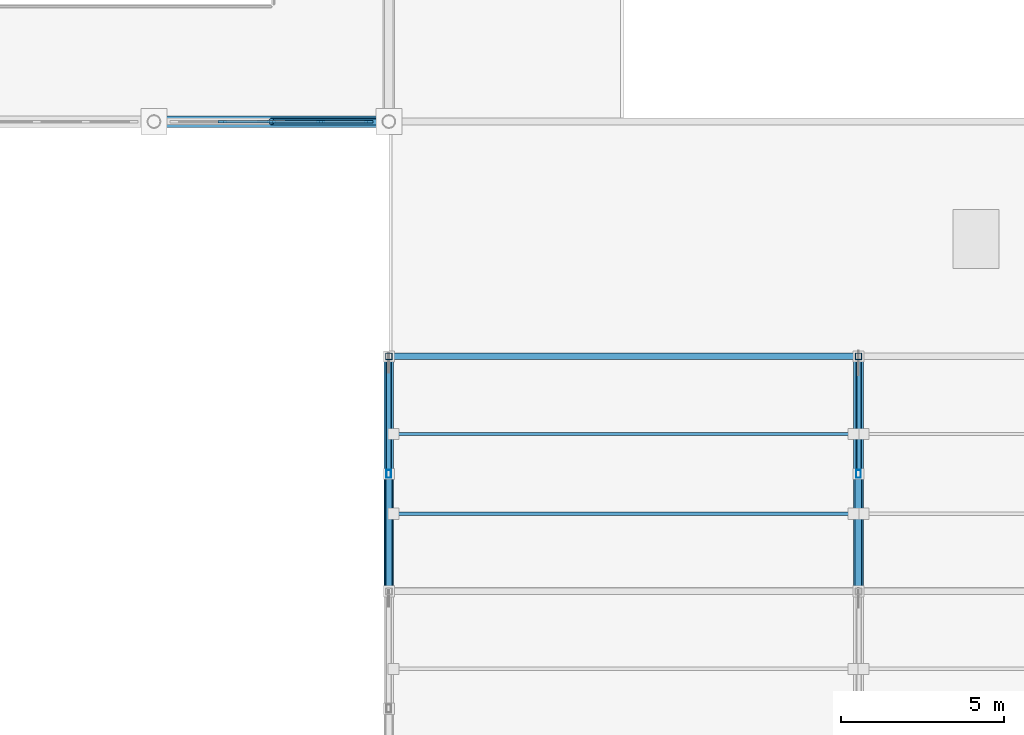
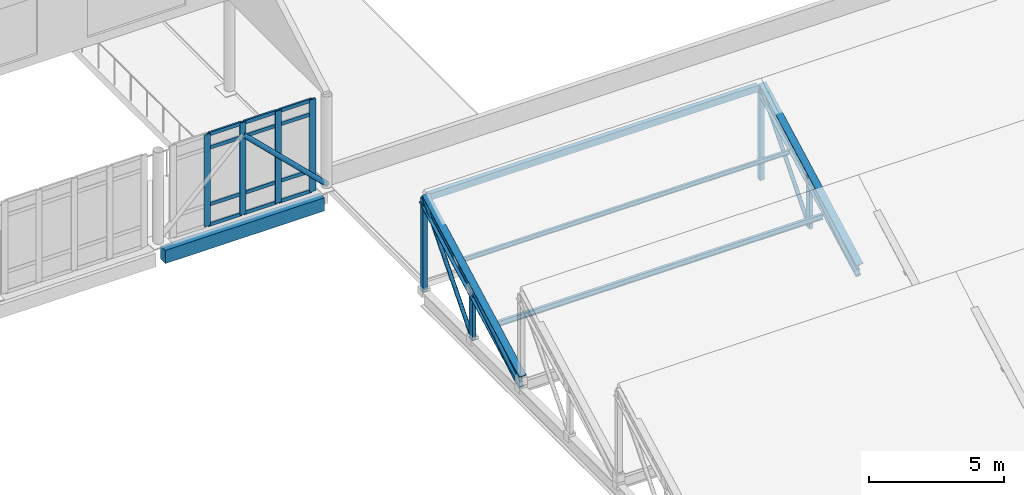
# One storey, part 19 of 62: 30 members, 1 beam, 1 element without a shape of its own.
"""IFC4 building model written with IfcOpenShell, lengths in metres."""

from ifc_helpers import new_model, si_unit, direction, frame, origin, origin_2d, place, context, subcontext, project, spatial, rectangle, hollow_rectangle, hollow_circle, i_section, extrude, material, layer, layer_set, material_profile, profile_set, type_object, element, aggregate, save


model = new_model("IFC4")

# Units and contexts
model_context = context("Model", 3, precision=1e-05, world=origin(), true_north=direction((0.0, 1.0)))
body_context = subcontext(model_context, "Body", "Model", "MODEL_VIEW")
ifc_project = project(units=[si_unit("LENGTHUNIT", "METRE"), si_unit("AREAUNIT", "SQUARE_METRE"), si_unit("VOLUMEUNIT", "CUBIC_METRE"), si_unit("PLANEANGLEUNIT", "RADIAN"), si_unit("MASSUNIT", "GRAM", prefix="KILO")], contexts=[model_context])

# Site, building, storey
site_placement = place(None, origin())
site = spatial("IfcSite", under=ifc_project, at=site_placement, CompositionType="ELEMENT")
building_placement = place(site_placement, origin())
building = spatial("IfcBuilding", under=site, at=building_placement, Name="Valkovuoma Quantum and Materials Research Institute", CompositionType="ELEMENT")
storey_placement = place(building_placement, frame((0.0, 0.0, 13.1201171875)))
storey = spatial("IfcBuildingStorey", under=building, at=storey_placement, Name="L03", CompositionType="ELEMENT", Elevation=13.1201171875)

# Beam
ifc_material_1 = material(Name="Concrete C40/50", Category="concrete")
ifc_material_profile_1 = material_profile(ifc_material_1, rectangle(XDim=0.35009765625, YDim=0.60009765625, at=origin_2d()), Name="Concrete C40/50")
ifc_profile_set_1 = profile_set([ifc_material_profile_1], Name="Concrete C40/50")
beam_type = type_object("IfcBeamType", Name="Beam-B-SPN600", PredefinedType="SPANDREL", material=ifc_profile_set_1)
beam_placement = place(storey_placement, frame((93.80322265625, 36.0, -0.650146484375), z_axis=(1.0, 0.0, 0.0), x_axis=(0.0, 1.0, 0.0)))
element("IfcBeam", 1, at=beam_placement, inside=storey, type_object=beam_type, Name="L03 beam X-1437", PredefinedType="SPANDREL", context=body_context, shape_type="SweptSolid", body=[
    extrude(rectangle(XDim=0.35009765625, YDim=0.60009765625, at=origin_2d()), origin(), (0.0, 0.0, 1.0), 6.79345703125),
])

# Curtain wall, members
ifc_material_2 = material(Name="Thermally broken aluminium and triple low-E glazing", Category="aluminium")
ifc_layer = layer(ifc_material_2, 0.219970703125)
ifc_layer_set = layer_set([ifc_layer], Name="Thermally broken aluminium and triple low-E glazing")
curtain_wall_type = type_object("IfcCurtainWallType", Name="CW-CW-02", PredefinedType="NOTDEFINED", material=ifc_layer_set)
curtain_wall_placement = place(storey_placement, origin())
curtain_wall = element("IfcCurtainWall", 2, at=curtain_wall_placement, inside=storey, type_object=curtain_wall_type, Name="L03 curtain wall 210", PredefinedType="NOTDEFINED")
ifc_material_3 = material(Name="Anodised aluminium 6060-T66", Category="aluminium")
ifc_material_profile_2 = material_profile(ifc_material_3, rectangle(XDim=0.080078125, YDim=0.260009765625, at=origin_2d()), Name="Anodised aluminium 6060-T66")
ifc_profile_set_2 = profile_set([ifc_material_profile_2], Name="Anodised aluminium 6060-T66")
member_type_1 = type_object("IfcMemberType", Name="CWMull-CWM-03", PredefinedType="MULLION", material=ifc_profile_set_2)
member_1_placement = place(storey_placement, frame((95.68994140625, 36.0, 0.0), z_axis=(0.0, 0.0, 1.0), x_axis=(0.0, 1.0, 0.0)))
member_1 = element("IfcMember", 3, at=member_1_placement, type_object=member_type_1, Name="CW-02 mullion 2", PredefinedType="MULLION", context=body_context, shape_type="SweptSolid", body=[
    extrude(rectangle(XDim=0.080078125, YDim=0.260009765625, at=origin_2d()), origin(), (0.0, 0.0, 1.0), 4.159912109375),
])
member_2_placement = place(storey_placement, frame((97.199951171875, 36.0, 0.0), z_axis=(0.0, 0.0, 1.0), x_axis=(0.0, 1.0, 0.0)))
member_2 = element("IfcMember", 4, at=member_2_placement, type_object=member_type_1, Name="CW-02 mullion 3", PredefinedType="MULLION", context=body_context, shape_type="SweptSolid", body=[
    extrude(rectangle(XDim=0.080078125, YDim=0.260009765625, at=origin_2d()), origin(), (0.0, 0.0, 1.0), 4.159912109375),
])
member_3_placement = place(storey_placement, frame((98.7099609375, 36.0, 0.0), z_axis=(0.0, 0.0, 1.0), x_axis=(0.0, 1.0, 0.0)))
member_3 = element("IfcMember", 5, at=member_3_placement, type_object=member_type_1, Name="CW-02 mullion 4", PredefinedType="MULLION", context=body_context, shape_type="SweptSolid", body=[
    extrude(rectangle(XDim=0.080078125, YDim=0.260009765625, at=origin_2d()), origin(), (0.0, 0.0, 1.0), 4.159912109375),
])
member_4_placement = place(storey_placement, frame((100.179931640625, 36.0, 0.0), z_axis=(0.0, 0.0, 1.0), x_axis=(0.0, 1.0, 0.0)))
member_4 = element("IfcMember", 6, at=member_4_placement, type_object=member_type_1, Name="CW-02 mullion 5", PredefinedType="MULLION", context=body_context, shape_type="SweptSolid", body=[
    extrude(rectangle(XDim=0.080078125, YDim=0.260009765625, at=origin_2d()), origin(), (0.0, 0.0, 1.0), 4.159912109375),
])
ifc_material_4 = material(Name="Anodised aluminium 6060-T66", Category="aluminium")
ifc_material_profile_3 = material_profile(ifc_material_4, rectangle(XDim=0.074951171875, YDim=0.159912109375, at=origin_2d()), Name="Anodised aluminium 6060-T66")
ifc_profile_set_3 = profile_set([ifc_material_profile_3], Name="Anodised aluminium 6060-T66")
member_type_2 = type_object("IfcMemberType", Name="CWTran-CWT-02", PredefinedType="USERDEFINED", material=ifc_profile_set_3)
member_5_placement = place(storey_placement, frame((95.72998046875, 36.0, 0.037353515625), z_axis=(1.0, 0.0, 0.0), x_axis=(0.0, 1.0, 0.0)))
member_5 = element("IfcMember", 7, at=member_5_placement, type_object=member_type_2, Name="CW-02 transom 2.1", ObjectType="TRANSOM", PredefinedType="USERDEFINED", context=body_context, shape_type="SweptSolid", body=[
    extrude(rectangle(XDim=0.074951171875, YDim=0.159912109375, at=origin_2d()), origin(), (0.0, 0.0, 1.0), 1.429931640625),
])
member_6_placement = place(storey_placement, frame((95.72998046875, 36.0, 0.949951171875), z_axis=(1.0, 0.0, 0.0), x_axis=(0.0, 1.0, 0.0)))
member_6 = element("IfcMember", 8, at=member_6_placement, type_object=member_type_2, Name="CW-02 transom 2.2", ObjectType="TRANSOM", PredefinedType="USERDEFINED", context=body_context, shape_type="SweptSolid", body=[
    extrude(rectangle(XDim=0.074951171875, YDim=0.159912109375, at=origin_2d()), origin(), (0.0, 0.0, 1.0), 1.429931640625),
])
member_7_placement = place(storey_placement, frame((95.72998046875, 36.0, 3.509765625), z_axis=(1.0, 0.0, 0.0), x_axis=(0.0, 1.0, 0.0)))
member_7 = element("IfcMember", 9, at=member_7_placement, type_object=member_type_2, Name="CW-02 transom 2.3", ObjectType="TRANSOM", PredefinedType="USERDEFINED", context=body_context, shape_type="SweptSolid", body=[
    extrude(rectangle(XDim=0.074951171875, YDim=0.159912109375, at=origin_2d()), origin(), (0.0, 0.0, 1.0), 1.429931640625),
])
member_8_placement = place(storey_placement, frame((95.72998046875, 36.0, 4.122314453125), z_axis=(1.0, 0.0, 0.0), x_axis=(0.0, 1.0, 0.0)))
member_8 = element("IfcMember", 10, at=member_8_placement, type_object=member_type_2, Name="CW-02 transom 2.4", ObjectType="TRANSOM", PredefinedType="USERDEFINED", context=body_context, shape_type="SweptSolid", body=[
    extrude(rectangle(XDim=0.074951171875, YDim=0.159912109375, at=origin_2d()), origin(), (0.0, 0.0, 1.0), 1.429931640625),
])
member_9_placement = place(storey_placement, frame((97.239990234375, 36.0, 0.037353515625), z_axis=(1.0, 0.0, 0.0), x_axis=(0.0, 1.0, 0.0)))
member_9 = element("IfcMember", 11, at=member_9_placement, type_object=member_type_2, Name="CW-02 transom 3.1", ObjectType="TRANSOM", PredefinedType="USERDEFINED", context=body_context, shape_type="SweptSolid", body=[
    extrude(rectangle(XDim=0.074951171875, YDim=0.159912109375, at=origin_2d()), origin(), (0.0, 0.0, 1.0), 1.429931640625),
])
member_10_placement = place(storey_placement, frame((97.239990234375, 36.0, 0.949951171875), z_axis=(1.0, 0.0, 0.0), x_axis=(0.0, 1.0, 0.0)))
member_10 = element("IfcMember", 12, at=member_10_placement, type_object=member_type_2, Name="CW-02 transom 3.2", ObjectType="TRANSOM", PredefinedType="USERDEFINED", context=body_context, shape_type="SweptSolid", body=[
    extrude(rectangle(XDim=0.074951171875, YDim=0.159912109375, at=origin_2d()), origin(), (0.0, 0.0, 1.0), 1.429931640625),
])
member_11_placement = place(storey_placement, frame((97.239990234375, 36.0, 3.509765625), z_axis=(1.0, 0.0, 0.0), x_axis=(0.0, 1.0, 0.0)))
member_11 = element("IfcMember", 13, at=member_11_placement, type_object=member_type_2, Name="CW-02 transom 3.3", ObjectType="TRANSOM", PredefinedType="USERDEFINED", context=body_context, shape_type="SweptSolid", body=[
    extrude(rectangle(XDim=0.074951171875, YDim=0.159912109375, at=origin_2d()), origin(), (0.0, 0.0, 1.0), 1.429931640625),
])
member_12_placement = place(storey_placement, frame((97.239990234375, 36.0, 4.122314453125), z_axis=(1.0, 0.0, 0.0), x_axis=(0.0, 1.0, 0.0)))
member_12 = element("IfcMember", 14, at=member_12_placement, type_object=member_type_2, Name="CW-02 transom 3.4", ObjectType="TRANSOM", PredefinedType="USERDEFINED", context=body_context, shape_type="SweptSolid", body=[
    extrude(rectangle(XDim=0.074951171875, YDim=0.159912109375, at=origin_2d()), origin(), (0.0, 0.0, 1.0), 1.429931640625),
])
member_13_placement = place(storey_placement, frame((98.75, 36.0, 0.037353515625), z_axis=(1.0, 0.0, 0.0), x_axis=(0.0, 1.0, 0.0)))
member_13 = element("IfcMember", 15, at=member_13_placement, type_object=member_type_2, Name="CW-02 transom 4.1", ObjectType="TRANSOM", PredefinedType="USERDEFINED", context=body_context, shape_type="SweptSolid", body=[
    extrude(rectangle(XDim=0.074951171875, YDim=0.159912109375, at=origin_2d()), origin(), (0.0, 0.0, 1.0), 1.389892578125),
])
member_14_placement = place(storey_placement, frame((98.75, 36.0, 0.949951171875), z_axis=(1.0, 0.0, 0.0), x_axis=(0.0, 1.0, 0.0)))
member_14 = element("IfcMember", 16, at=member_14_placement, type_object=member_type_2, Name="CW-02 transom 4.2", ObjectType="TRANSOM", PredefinedType="USERDEFINED", context=body_context, shape_type="SweptSolid", body=[
    extrude(rectangle(XDim=0.074951171875, YDim=0.159912109375, at=origin_2d()), origin(), (0.0, 0.0, 1.0), 1.389892578125),
])
member_15_placement = place(storey_placement, frame((98.75, 36.0, 3.509765625), z_axis=(1.0, 0.0, 0.0), x_axis=(0.0, 1.0, 0.0)))
member_15 = element("IfcMember", 17, at=member_15_placement, type_object=member_type_2, Name="CW-02 transom 4.3", ObjectType="TRANSOM", PredefinedType="USERDEFINED", context=body_context, shape_type="SweptSolid", body=[
    extrude(rectangle(XDim=0.074951171875, YDim=0.159912109375, at=origin_2d()), origin(), (0.0, 0.0, 1.0), 1.389892578125),
])
member_16_placement = place(storey_placement, frame((98.75, 36.0, 4.122314453125), z_axis=(1.0, 0.0, 0.0), x_axis=(0.0, 1.0, 0.0)))
member_16 = element("IfcMember", 18, at=member_16_placement, type_object=member_type_2, Name="CW-02 transom 4.4", ObjectType="TRANSOM", PredefinedType="USERDEFINED", context=body_context, shape_type="SweptSolid", body=[
    extrude(rectangle(XDim=0.074951171875, YDim=0.159912109375, at=origin_2d()), origin(), (0.0, 0.0, 1.0), 1.389892578125),
])
aggregate(curtain_wall, [member_1, member_2, member_3, member_4, member_5, member_6, member_7, member_8, member_9, member_10, member_11, member_12, member_13, member_14, member_15, member_16])

# Members
ifc_material_5 = material(Name="Steel S355J2H", Category="steel")
ifc_material_profile_4 = material_profile(ifc_material_5, hollow_circle(Radius=0.084228515625, WallThickness=0.008056640625, at=origin_2d()), Name="Steel S355J2H")
ifc_profile_set_4 = profile_set([ifc_material_profile_4], Name="Steel S355J2H")
member_type_3 = type_object("IfcMemberType", Name="Mem-M-BRC168", PredefinedType="BRACE", material=ifc_profile_set_4)
for number, where, z_axis, x_axis, name in (
    (19, (100.800048828125, 25.199951171875, -0.35009765625), (0.0, 0.650805911728, 0.759244140748), (-1.0, 0.0, 0.0), "L03 VOL1 sawtooth web brace 1.3B"),
    (20, (115.199951171875, 25.199951171875, -0.35009765625), (0.0, 0.650805911728, 0.759244140748), (-1.0, 0.0, 0.0), "L03 VOL1 sawtooth web brace 2.3B"),
):
    element("IfcMember", number, at=place(storey_placement, frame(where, z_axis=z_axis, x_axis=x_axis)), inside=storey, type_object=member_type_3, Name=name, PredefinedType="BRACE", context=body_context, shape_type="SweptSolid", body=[
        extrude(hollow_circle(Radius=0.084228515625, WallThickness=0.008056640625, at=origin_2d()), origin(), (0.0, 0.0, 1.0), 5.53173828125),
    ])
ifc_material_6 = material(Name="Steel S355J2H", Category="steel")
ifc_material_profile_5 = material_profile(ifc_material_6, hollow_circle(Radius=0.109619140625, WallThickness=0.010009765625, at=origin_2d()), Name="Steel S355J2H")
ifc_profile_set_5 = profile_set([ifc_material_profile_5], Name="Steel S355J2H")
member_type_4 = type_object("IfcMemberType", Name="Mem-M-BRC219", PredefinedType="BRACE", material=ifc_profile_set_5)
for number, where, z_axis, x_axis, name in (
    (21, (100.800048828125, 21.60009765625, -0.35009765625), (0.0, 0.845349916973, 0.534212989241), (-1.0, 0.0, 0.0), "L03 VOL1 sawtooth web brace 1.3A"),
    (22, (115.199951171875, 21.60009765625, -0.35009765625), (0.0, 0.845349916973, 0.534212989241), (-1.0, 0.0, 0.0), "L03 VOL1 sawtooth web brace 2.3A"),
):
    element("IfcMember", number, at=place(storey_placement, frame(where, z_axis=z_axis, x_axis=x_axis)), inside=storey, type_object=member_type_4, Name=name, PredefinedType="BRACE", context=body_context, shape_type="SweptSolid", body=[
        extrude(hollow_circle(Radius=0.109619140625, WallThickness=0.010009765625, at=origin_2d()), origin(), (0.0, 0.0, 1.0), 4.25830078125),
    ])
member_17_placement = place(storey_placement, frame((100.800048828125, 36.0, 0.099853515625), z_axis=(-0.716008634166, 0.0, 0.698091423668), x_axis=(0.0, -1.0, 0.0)))
element("IfcMember", 23, at=member_17_placement, inside=storey, type_object=member_type_4, Name="L03 chevron wind brace 08B", PredefinedType="BRACE", context=body_context, shape_type="SweptSolid", body=[
    extrude(hollow_circle(Radius=0.109619140625, WallThickness=0.010009765625, at=origin_2d()), origin(), (0.0, 0.0, 1.0), 5.028076171875),
])
ifc_material_7 = material(Name="Steel S355J2H", Category="steel")
ifc_material_profile_6 = material_profile(ifc_material_7, hollow_rectangle(XDim=0.199951171875, YDim=0.300048828125, WallThickness=0.012451171875, at=origin_2d()), Name="Steel S355J2H")
ifc_profile_set_6 = profile_set([ifc_material_profile_6], Name="Steel S355J2H")
member_type_5 = type_object("IfcMemberType", Name="Mem-M-CHD300", PredefinedType="CHORD", material=ifc_profile_set_6)
member_18_placement = place(storey_placement, frame((100.949951171875, 28.800048828125, 3.849853515625), z_axis=(1.0, 0.0, 0.0), x_axis=(0.0, 1.0, 0.0)))
element("IfcMember", 24, at=member_18_placement, inside=storey, type_object=member_type_5, Name="L03 VOL1 ridge chord 3.1", PredefinedType="CHORD", context=body_context, shape_type="SweptSolid", body=[
    extrude(hollow_rectangle(XDim=0.199951171875, YDim=0.300048828125, WallThickness=0.012451171875, at=origin_2d()), origin(), (0.0, 0.0, 1.0), 14.10009765625),
])
ifc_material_8 = material(Name="Steel S355J2", Category="steel")
ifc_material_profile_7 = material_profile(ifc_material_8, i_section(OverallWidth=0.300048828125, OverallDepth=0.5, WebThickness=0.014404296875, FlangeThickness=0.028076171875, FilletRadius=0.027099609375, at=origin_2d()), Name="Steel S355J2")
ifc_profile_set_7 = profile_set([ifc_material_profile_7], Name="Steel S355J2")
member_type_6 = type_object("IfcMemberType", Name="Mem-M-CHD500", PredefinedType="CHORD", material=ifc_profile_set_7)
for number, where, z_axis, x_axis, name in (
    (25, (100.800048828125, 21.60009765625, 0.0), (0.0, 0.881849996116, 0.471530046074), (-1.0, 0.0, 0.0), "L03 VOL1 sawtooth top chord 1.3"),
    (26, (115.199951171875, 21.60009765625, 0.0), (0.0, 0.881849996116, 0.471530046074), (-1.0, 0.0, 0.0), "L03 VOL1 sawtooth top chord 2.3"),
):
    element("IfcMember", number, at=place(storey_placement, frame(where, z_axis=z_axis, x_axis=x_axis)), inside=storey, type_object=member_type_6, Name=name, PredefinedType="CHORD", context=body_context, shape_type="SweptSolid", body=[
        extrude(i_section(OverallWidth=0.300048828125, OverallDepth=0.5, WebThickness=0.014404296875, FlangeThickness=0.028076171875, FilletRadius=0.027099609375, at=origin_2d()), origin(), (0.0, 0.0, 1.0), 8.16455078125),
    ])
ifc_material_9 = material(Name="Steel S355J2", Category="steel")
ifc_material_profile_8 = material_profile(ifc_material_9, i_section(OverallWidth=0.10009765625, OverallDepth=0.199951171875, WebThickness=0.005615234375, FlangeThickness=0.008544921875, FilletRadius=0.011962890625, at=origin_2d()), Name="Steel S355J2")
ifc_profile_set_8 = profile_set([ifc_material_profile_8], Name="Steel S355J2")
member_type_7 = type_object("IfcMemberType", Name="Mem-M-PRL200", PredefinedType="PURLIN", material=ifc_profile_set_8)
member_19_placement = place(storey_placement, frame((100.949951171875, 26.424072265625, 2.379150390625), z_axis=(1.0, 0.0, 0.0), x_axis=(0.0, 1.0, 0.0)))
element("IfcMember", 27, at=member_19_placement, inside=storey, type_object=member_type_7, Name="L03 VOL1 roof purlin 3.1.2", PredefinedType="PURLIN", context=body_context, shape_type="SweptSolid", body=[
    extrude(i_section(OverallWidth=0.10009765625, OverallDepth=0.199951171875, WebThickness=0.005615234375, FlangeThickness=0.008544921875, FilletRadius=0.011962890625, at=origin_2d()), origin(), (0.0, 0.0, 1.0), 14.10009765625),
])
ifc_material_10 = material(Name="Steel S355J2", Category="steel")
ifc_material_profile_9 = material_profile(ifc_material_10, i_section(OverallWidth=0.1201171875, OverallDepth=0.239990234375, WebThickness=0.006103515625, FlangeThickness=0.009765625, FilletRadius=0.014892578125, at=origin_2d()), Name="Steel S355J2")
ifc_profile_set_9 = profile_set([ifc_material_profile_9], Name="Steel S355J2")
member_type_8 = type_object("IfcMemberType", Name="Mem-M-PRL240", PredefinedType="PURLIN", material=ifc_profile_set_9)
member_20_placement = place(storey_placement, frame((100.949951171875, 23.97607421875, 0.951171875), z_axis=(1.0, 0.0, 0.0), x_axis=(0.0, 1.0, 0.0)))
element("IfcMember", 28, at=member_20_placement, inside=storey, type_object=member_type_8, Name="L03 VOL1 roof purlin 3.1.1", PredefinedType="PURLIN", context=body_context, shape_type="SweptSolid", body=[
    extrude(i_section(OverallWidth=0.1201171875, OverallDepth=0.239990234375, WebThickness=0.006103515625, FlangeThickness=0.009765625, FilletRadius=0.014892578125, at=origin_2d()), origin(), (0.0, 0.0, 1.0), 14.10009765625),
])
ifc_material_11 = material(Name="Steel S355J2H", Category="steel")
ifc_material_profile_10 = material_profile(ifc_material_11, hollow_rectangle(XDim=0.199951171875, YDim=0.199951171875, WallThickness=0.010009765625, at=origin_2d()), Name="Steel S355J2H")
ifc_profile_set_10 = profile_set([ifc_material_profile_10], Name="Steel S355J2H")
member_type_9 = type_object("IfcMemberType", Name="Mem-M-STR200", PredefinedType="STRUT", material=ifc_profile_set_10)
for number, where, z_axis, x_axis, name in (
    (29, (100.800048828125, 28.800048828125, -0.35009765625), (0.0, 0.0, 1.0), (1.0, 0.0, 0.0), "L03 VOL1 sawtooth north post 1.3"),
    (30, (115.199951171875, 28.800048828125, -0.35009765625), (0.0, 0.0, 1.0), (1.0, 0.0, 0.0), "L03 VOL1 sawtooth north post 2.3"),
):
    element("IfcMember", number, at=place(storey_placement, frame(where, z_axis=z_axis, x_axis=x_axis)), inside=storey, type_object=member_type_9, Name=name, PredefinedType="STRUT", context=body_context, shape_type="SweptSolid", body=[
        extrude(hollow_rectangle(XDim=0.199951171875, YDim=0.199951171875, WallThickness=0.010009765625, at=origin_2d()), origin(), (0.0, 0.0, 1.0), 4.199951171875),
    ])
ifc_material_12 = material(Name="Steel S355J2H", Category="steel")
ifc_material_profile_11 = material_profile(ifc_material_12, hollow_rectangle(XDim=0.14990234375, YDim=0.25, WallThickness=0.010009765625, at=origin_2d()), Name="Steel S355J2H")
ifc_profile_set_11 = profile_set([ifc_material_profile_11], Name="Steel S355J2H")
member_type_10 = type_object("IfcMemberType", Name="Mem-M-STR250R", PredefinedType="STRUT", material=ifc_profile_set_11)
for number, where, z_axis, x_axis, name in (
    (31, (100.800048828125, 25.199951171875, -0.35009765625), (0.0, 0.0, 1.0), (1.0, 0.0, 0.0), "L03 VOL1 sawtooth mid strut 1.3"),
    (32, (115.199951171875, 25.199951171875, -0.35009765625), (0.0, 0.0, 1.0), (1.0, 0.0, 0.0), "L03 VOL1 sawtooth mid strut 2.3"),
):
    element("IfcMember", number, at=place(storey_placement, frame(where, z_axis=z_axis, x_axis=x_axis)), inside=storey, type_object=member_type_10, Name=name, PredefinedType="STRUT", context=body_context, shape_type="SweptSolid", body=[
        extrude(hollow_rectangle(XDim=0.14990234375, YDim=0.25, WallThickness=0.010009765625, at=origin_2d()), origin(), (0.0, 0.0, 1.0), 2.27490234375),
    ])

save(model, "model.ifc")
